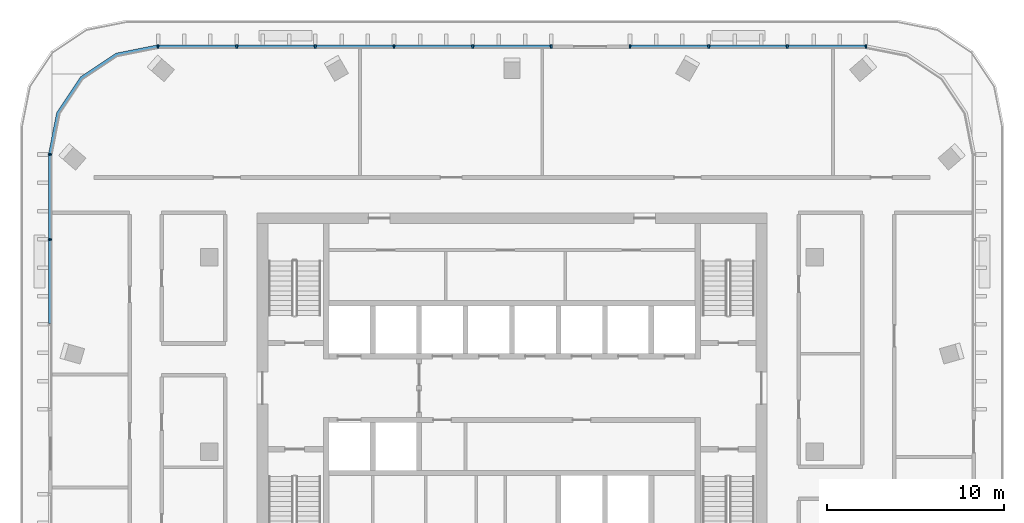
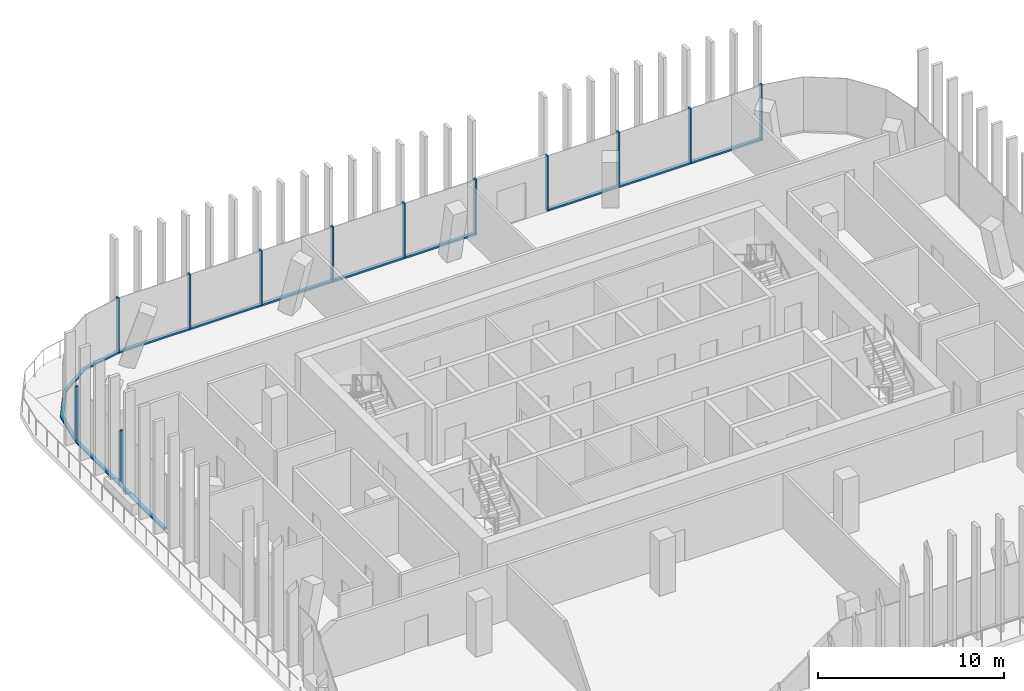
# One storey, part 4 of 15: 23 members, 4 elements without a shape of their own.
"""IFC4 building model written with IfcOpenShell, lengths in metres."""

from ifc_helpers import new_model, si_unit, direction, frame, origin, origin_2d, place, context, subcontext, project, spatial, polyline, rectangle, outline, extrude, material, material_profile, profile_set, type_object, element, aggregate, save


model = new_model("IFC4")

# Units and contexts
model_context = context("Model", 3, precision=1e-05, world=origin(), true_north=direction((0.0, 1.0)))
body_context = subcontext(model_context, "Body", "Model", "MODEL_VIEW")
ifc_project = project(units=[si_unit("LENGTHUNIT", "METRE"), si_unit("AREAUNIT", "SQUARE_METRE"), si_unit("VOLUMEUNIT", "CUBIC_METRE"), si_unit("PLANEANGLEUNIT", "RADIAN"), si_unit("MASSUNIT", "GRAM", prefix="KILO")], contexts=[model_context])

# Site, building, storey
site_placement = place(None, origin())
site = spatial("IfcSite", under=ifc_project, at=site_placement, CompositionType="ELEMENT")
building_placement = place(site_placement, origin())
building = spatial("IfcBuilding", under=site, at=building_placement, Name="Mopane Tessera Tower", CompositionType="ELEMENT")
storey_placement = place(building_placement, frame((0.0, 0.0, 329.39990234375)))
storey = spatial("IfcBuildingStorey", under=building, at=storey_placement, Name="L72", CompositionType="ELEMENT", Elevation=329.39990234375)

# Curtain wall, members
ifc_material_1 = material(Name="Aluminium frame", Category="aluminium")
curtain_wall_type = type_object("IfcCurtainWallType", Name="Unitised curtain wall", PredefinedType="NOTDEFINED", material=ifc_material_1)
curtain_wall_1_placement = place(storey_placement, origin())
curtain_wall_1 = element("IfcCurtainWall", 1, at=curtain_wall_1_placement, inside=storey, type_object=curtain_wall_type, Name="e:cw:L72:N:0", PredefinedType="NOTDEFINED")
ifc_material_2 = material(Name="Aluminium frame", Category="aluminium")
ifc_material_profile_1 = material_profile(ifc_material_2, rectangle(XDim=0.10009765625, YDim=0.199951171875, at=origin_2d()))
ifc_profile_set_1 = profile_set([ifc_material_profile_1], Name="Aluminium frame")
member_type_1 = type_object("IfcMemberType", Name="Aluminium mullion 100 x 200", PredefinedType="MULLION", material=ifc_profile_set_1)
member_1_placement = place(storey_placement, frame((20.0, 22.89990234375, 0.0), z_axis=(0.0, 0.0, 1.0), x_axis=(-1.0, 0.0, 0.0)))
member_1 = element("IfcMember", 2, at=member_1_placement, type_object=member_type_1, Name="e:cw:L72:N:0:mu0", PredefinedType="MULLION", context=body_context, shape_type="SweptSolid", body=[
    extrude(rectangle(XDim=0.10009765625, YDim=0.199951171875, at=origin_2d()), origin(), (0.0, 0.0, 1.0), 3.650146484375),
])
member_2_placement = place(storey_placement, frame((15.5556640625, 22.89990234375, 0.0), z_axis=(0.0, 0.0, 1.0), x_axis=(-1.0, 0.0, 0.0)))
member_2 = element("IfcMember", 3, at=member_2_placement, type_object=member_type_1, Name="e:cw:L72:N:0:mu1", PredefinedType="MULLION", context=body_context, shape_type="SweptSolid", body=[
    extrude(rectangle(XDim=0.10009765625, YDim=0.199951171875, at=origin_2d()), origin(), (0.0, 0.0, 1.0), 3.650146484375),
])
member_3_placement = place(storey_placement, frame((11.111083984375, 22.89990234375, 0.0), z_axis=(0.0, 0.0, 1.0), x_axis=(-1.0, 0.0, 0.0)))
member_3 = element("IfcMember", 4, at=member_3_placement, type_object=member_type_1, Name="e:cw:L72:N:0:mu2", PredefinedType="MULLION", context=body_context, shape_type="SweptSolid", body=[
    extrude(rectangle(XDim=0.10009765625, YDim=0.199951171875, at=origin_2d()), origin(), (0.0, 0.0, 1.0), 3.650146484375),
])
member_4_placement = place(storey_placement, frame((6.666748046875, 22.89990234375, 0.0), z_axis=(0.0, 0.0, 1.0), x_axis=(-1.0, 0.0, 0.0)))
member_4 = element("IfcMember", 5, at=member_4_placement, type_object=member_type_1, Name="e:cw:L72:N:0:mu3", PredefinedType="MULLION", context=body_context, shape_type="SweptSolid", body=[
    extrude(rectangle(XDim=0.10009765625, YDim=0.199951171875, at=origin_2d()), origin(), (0.0, 0.0, 1.0), 3.650146484375),
])

curtain_wall_2_placement = place(storey_placement, origin())
curtain_wall_2 = element("IfcCurtainWall", 6, at=curtain_wall_2_placement, inside=storey, type_object=curtain_wall_type, Name="e:cw:L72:N:4", PredefinedType="NOTDEFINED")
member_5_placement = place(storey_placement, frame((2.22216796875, 22.89990234375, 0.0), z_axis=(0.0, 0.0, 1.0), x_axis=(-1.0, 0.0, 0.0)))
member_5 = element("IfcMember", 7, at=member_5_placement, type_object=member_type_1, Name="e:cw:L72:N:4:mu4", PredefinedType="MULLION", context=body_context, shape_type="SweptSolid", body=[
    extrude(rectangle(XDim=0.10009765625, YDim=0.199951171875, at=origin_2d()), origin(), (0.0, 0.0, 1.0), 3.650146484375),
])
member_6_placement = place(storey_placement, frame((-2.22216796875, 22.89990234375, 0.0), z_axis=(0.0, 0.0, 1.0), x_axis=(-1.0, 0.0, 0.0)))
member_6 = element("IfcMember", 8, at=member_6_placement, type_object=member_type_1, Name="e:cw:L72:N:4:mu5", PredefinedType="MULLION", context=body_context, shape_type="SweptSolid", body=[
    extrude(rectangle(XDim=0.10009765625, YDim=0.199951171875, at=origin_2d()), origin(), (0.0, 0.0, 1.0), 3.650146484375),
])
member_7_placement = place(storey_placement, frame((-6.666748046875, 22.89990234375, 0.0), z_axis=(0.0, 0.0, 1.0), x_axis=(-1.0, 0.0, 0.0)))
member_7 = element("IfcMember", 9, at=member_7_placement, type_object=member_type_1, Name="e:cw:L72:N:4:mu6", PredefinedType="MULLION", context=body_context, shape_type="SweptSolid", body=[
    extrude(rectangle(XDim=0.10009765625, YDim=0.199951171875, at=origin_2d()), origin(), (0.0, 0.0, 1.0), 3.650146484375),
])
member_8_placement = place(storey_placement, frame((-11.111083984375, 22.89990234375, 0.0), z_axis=(0.0, 0.0, 1.0), x_axis=(-1.0, 0.0, 0.0)))
member_8 = element("IfcMember", 10, at=member_8_placement, type_object=member_type_1, Name="e:cw:L72:N:4:mu7", PredefinedType="MULLION", context=body_context, shape_type="SweptSolid", body=[
    extrude(rectangle(XDim=0.10009765625, YDim=0.199951171875, at=origin_2d()), origin(), (0.0, 0.0, 1.0), 3.650146484375),
])
member_9_placement = place(storey_placement, frame((-15.5556640625, 22.89990234375, 0.0), z_axis=(0.0, 0.0, 1.0), x_axis=(-1.0, 0.0, 0.0)))
member_9 = element("IfcMember", 11, at=member_9_placement, type_object=member_type_1, Name="e:cw:L72:N:4:mu8", PredefinedType="MULLION", context=body_context, shape_type="SweptSolid", body=[
    extrude(rectangle(XDim=0.10009765625, YDim=0.199951171875, at=origin_2d()), origin(), (0.0, 0.0, 1.0), 3.650146484375),
])
member_10_placement = place(storey_placement, frame((-20.0, 22.89990234375, 0.0), z_axis=(0.0, 0.0, 1.0), x_axis=(-1.0, 0.0, 0.0)))
member_10 = element("IfcMember", 12, at=member_10_placement, type_object=member_type_1, Name="e:cw:L72:N:4:mu9", PredefinedType="MULLION", context=body_context, shape_type="SweptSolid", body=[
    extrude(rectangle(XDim=0.10009765625, YDim=0.199951171875, at=origin_2d()), origin(), (0.0, 0.0, 1.0), 3.650146484375),
])

curtain_wall_3_placement = place(storey_placement, origin())
curtain_wall_3 = element("IfcCurtainWall", 13, at=curtain_wall_3_placement, inside=storey, type_object=curtain_wall_type, Name="e:cw:L72:W:0", PredefinedType="NOTDEFINED")
member_11_placement = place(storey_placement, frame((-26.10009765625, 16.800048828125, 0.0), z_axis=(0.0, 0.0, 1.0), x_axis=(0.0, -1.0, 0.0)))
member_11 = element("IfcMember", 14, at=member_11_placement, type_object=member_type_1, Name="e:cw:L72:W:0:mu0", PredefinedType="MULLION", context=body_context, shape_type="SweptSolid", body=[
    extrude(rectangle(XDim=0.10009765625, YDim=0.199951171875, at=origin_2d()), origin(), (0.0, 0.0, 1.0), 3.650146484375),
])
member_12_placement = place(storey_placement, frame((-26.10009765625, 12.0, 0.0), z_axis=(0.0, 0.0, 1.0), x_axis=(0.0, -1.0, 0.0)))
member_12 = element("IfcMember", 15, at=member_12_placement, type_object=member_type_1, Name="e:cw:L72:W:0:mu1", PredefinedType="MULLION", context=body_context, shape_type="SweptSolid", body=[
    extrude(rectangle(XDim=0.10009765625, YDim=0.199951171875, at=origin_2d()), origin(), (0.0, 0.0, 1.0), 3.650146484375),
])

# Member
ifc_material_3 = material(Name="Aluminium frame", Category="aluminium")
ifc_material_profile_2 = material_profile(ifc_material_3, rectangle(XDim=0.199951171875, YDim=0.1201171875, at=origin_2d()))
ifc_profile_set_2 = profile_set([ifc_material_profile_2], Name="Aluminium frame")
member_type_2 = type_object("IfcMemberType", Name="Aluminium transom 200 x 120", PredefinedType="USERDEFINED", material=ifc_profile_set_2)
member_13_placement = place(storey_placement, frame((19.949951171875, 22.89990234375, 0.06005859375), z_axis=(-1.0, 0.0, 0.0), x_axis=(0.0, -1.0, 0.0)))
member_13 = element("IfcMember", 16, at=member_13_placement, type_object=member_type_2, Name="e:cw:L72:N:0:tr0", ObjectType="TRANSOM", PredefinedType="USERDEFINED", context=body_context, shape_type="SweptSolid", body=[
    extrude(rectangle(XDim=0.199951171875, YDim=0.1201171875, at=origin_2d()), origin(), (0.0, 0.0, 1.0), 4.344482421875),
])

member_14_placement = place(storey_placement, frame((15.505615234375, 22.89990234375, 0.06005859375), z_axis=(-1.0, 0.0, 0.0), x_axis=(0.0, -1.0, 0.0)))
member_14 = element("IfcMember", 17, at=member_14_placement, type_object=member_type_2, Name="e:cw:L72:N:0:tr1", ObjectType="TRANSOM", PredefinedType="USERDEFINED", context=body_context, shape_type="SweptSolid", body=[
    extrude(rectangle(XDim=0.199951171875, YDim=0.1201171875, at=origin_2d()), origin(), (0.0, 0.0, 1.0), 4.344482421875),
])

member_15_placement = place(storey_placement, frame((11.06103515625, 22.89990234375, 0.06005859375), z_axis=(-1.0, 0.0, 0.0), x_axis=(0.0, -1.0, 0.0)))
member_15 = element("IfcMember", 18, at=member_15_placement, type_object=member_type_2, Name="e:cw:L72:N:0:tr2", ObjectType="TRANSOM", PredefinedType="USERDEFINED", context=body_context, shape_type="SweptSolid", body=[
    extrude(rectangle(XDim=0.199951171875, YDim=0.1201171875, at=origin_2d()), origin(), (0.0, 0.0, 1.0), 4.344482421875),
])

aggregate(curtain_wall_1, [member_1, member_2, member_3, member_4, member_13, member_14, member_15])

member_16_placement = place(storey_placement, frame((2.172119140625, 22.89990234375, 0.06005859375), z_axis=(-1.0, 0.0, 0.0), x_axis=(0.0, -1.0, 0.0)))
member_16 = element("IfcMember", 19, at=member_16_placement, type_object=member_type_2, Name="e:cw:L72:N:4:tr4", ObjectType="TRANSOM", PredefinedType="USERDEFINED", context=body_context, shape_type="SweptSolid", body=[
    extrude(rectangle(XDim=0.199951171875, YDim=0.1201171875, at=origin_2d()), origin(), (0.0, 0.0, 1.0), 4.34423828125),
])

member_17_placement = place(storey_placement, frame((-2.272216796875, 22.89990234375, 0.06005859375), z_axis=(-1.0, 0.0, 0.0), x_axis=(0.0, -1.0, 0.0)))
member_17 = element("IfcMember", 20, at=member_17_placement, type_object=member_type_2, Name="e:cw:L72:N:4:tr5", ObjectType="TRANSOM", PredefinedType="USERDEFINED", context=body_context, shape_type="SweptSolid", body=[
    extrude(rectangle(XDim=0.199951171875, YDim=0.1201171875, at=origin_2d()), origin(), (0.0, 0.0, 1.0), 4.344482421875),
])

member_18_placement = place(storey_placement, frame((-6.716552734375, 22.89990234375, 0.06005859375), z_axis=(-1.0, 0.0, 0.0), x_axis=(0.0, -1.0, 0.0)))
member_18 = element("IfcMember", 21, at=member_18_placement, type_object=member_type_2, Name="e:cw:L72:N:4:tr6", ObjectType="TRANSOM", PredefinedType="USERDEFINED", context=body_context, shape_type="SweptSolid", body=[
    extrude(rectangle(XDim=0.199951171875, YDim=0.1201171875, at=origin_2d()), origin(), (0.0, 0.0, 1.0), 4.344482421875),
])

member_19_placement = place(storey_placement, frame((-11.1611328125, 22.89990234375, 0.06005859375), z_axis=(-1.0, 0.0, 0.0), x_axis=(0.0, -1.0, 0.0)))
member_19 = element("IfcMember", 22, at=member_19_placement, type_object=member_type_2, Name="e:cw:L72:N:4:tr7", ObjectType="TRANSOM", PredefinedType="USERDEFINED", context=body_context, shape_type="SweptSolid", body=[
    extrude(rectangle(XDim=0.199951171875, YDim=0.1201171875, at=origin_2d()), origin(), (0.0, 0.0, 1.0), 4.344482421875),
])

member_20_placement = place(storey_placement, frame((-15.60546875, 22.89990234375, 0.06005859375), z_axis=(-1.0, 0.0, 0.0), x_axis=(0.0, -1.0, 0.0)))
member_20 = element("IfcMember", 23, at=member_20_placement, type_object=member_type_2, Name="e:cw:L72:N:4:tr8", ObjectType="TRANSOM", PredefinedType="USERDEFINED", context=body_context, shape_type="SweptSolid", body=[
    extrude(rectangle(XDim=0.199951171875, YDim=0.1201171875, at=origin_2d()), origin(), (0.0, 0.0, 1.0), 4.344482421875),
])

aggregate(curtain_wall_2, [member_5, member_6, member_7, member_8, member_9, member_10, member_16, member_17, member_18, member_19, member_20])

# Curtain wall, member
curtain_wall_4_placement = place(storey_placement, origin())
curtain_wall_4 = element("IfcCurtainWall", 24, at=curtain_wall_4_placement, inside=storey, type_object=curtain_wall_type, Name="e:cw:L72:CN", PredefinedType="NOTDEFINED")
member_21_placement = place(storey_placement, origin())
member_21 = element("IfcMember", 25, at=member_21_placement, type_object=member_type_2, Name="e:cw:L72:CN:tr", ObjectType="TRANSOM", PredefinedType="USERDEFINED", context=body_context, shape_type="SweptSolid", body=[
    extrude(outline(polyline([(-20.0, 22.800048828125), (-22.296142578125, 22.34326171875), (-24.24267578125, 21.042724609375), (-25.543212890625, 19.09619140625), (-26.0, 16.800048828125), (-26.199951171875, 16.800048828125), (-25.72802734375, 19.172607421875), (-24.384033203125, 21.18408203125), (-22.37255859375, 22.528076171875), (-20.0, 23.0), (-20.0, 22.800048828125)])), origin(), (0.0, 0.0, 1.0), 0.1201171875),
])
aggregate(curtain_wall_4, [member_21])

# Member
member_22_placement = place(storey_placement, frame((-26.10009765625, 16.75, 0.06005859375), z_axis=(0.0, -1.0, 0.0), x_axis=(1.0, 0.0, 0.0)))
member_22 = element("IfcMember", 26, at=member_22_placement, type_object=member_type_2, Name="e:cw:L72:W:0:tr0", ObjectType="TRANSOM", PredefinedType="USERDEFINED", context=body_context, shape_type="SweptSolid", body=[
    extrude(rectangle(XDim=0.199951171875, YDim=0.1201171875, at=origin_2d()), origin(), (0.0, 0.0, 1.0), 4.699951171875),
])

member_23_placement = place(storey_placement, frame((-26.10009765625, 11.949951171875, 0.06005859375), z_axis=(0.0, -1.0, 0.0), x_axis=(1.0, 0.0, 0.0)))
member_23 = element("IfcMember", 27, at=member_23_placement, type_object=member_type_2, Name="e:cw:L72:W:0:tr1", ObjectType="TRANSOM", PredefinedType="USERDEFINED", context=body_context, shape_type="SweptSolid", body=[
    extrude(rectangle(XDim=0.199951171875, YDim=0.1201171875, at=origin_2d()), origin(), (0.0, 0.0, 1.0), 4.699951171875),
])

aggregate(curtain_wall_3, [member_11, member_12, member_22, member_23])

save(model, "model.ifc")
